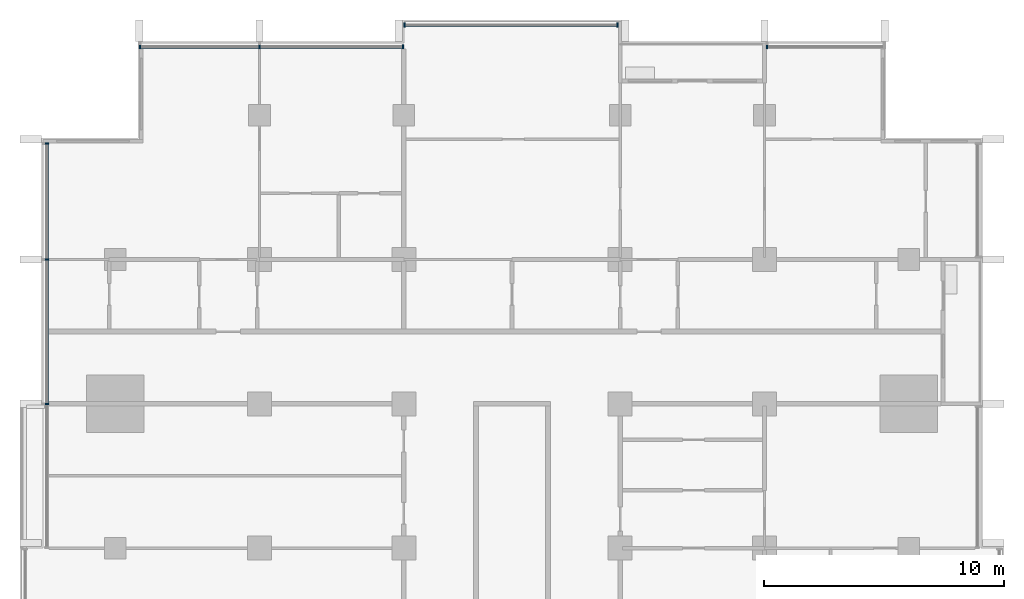
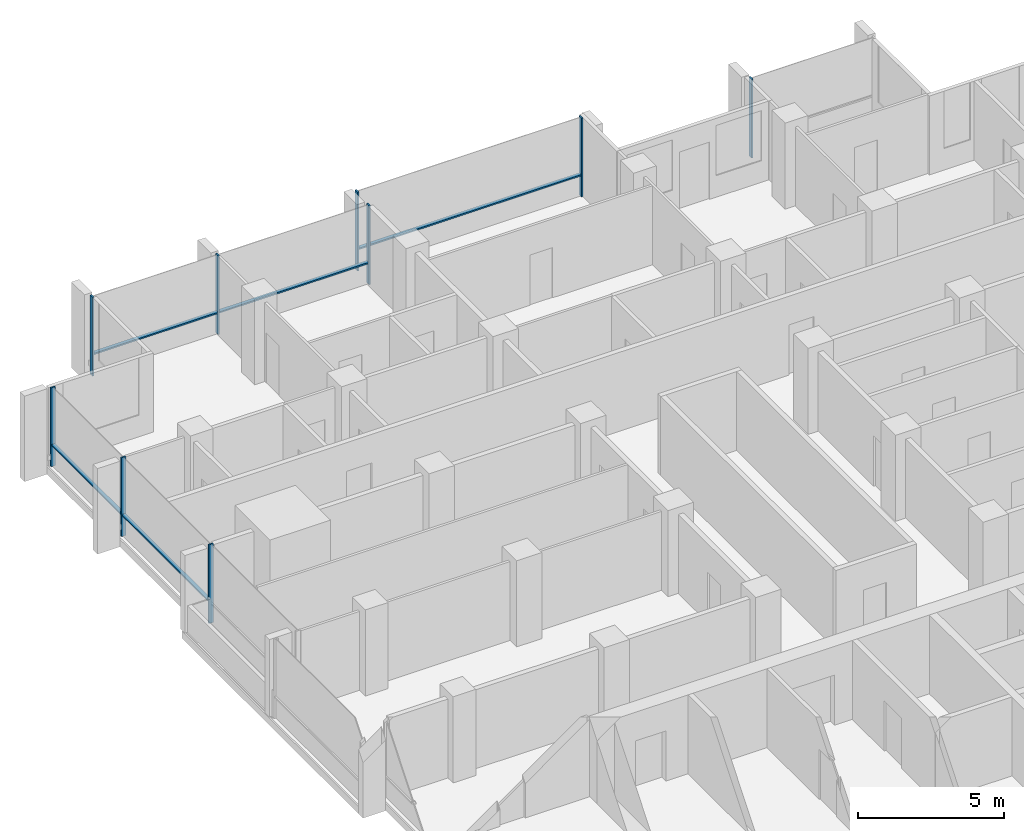
# One storey, part 4 of 16: 14 members, 4 elements without a shape of their own.
"""IFC4 building model written with IfcOpenShell, lengths in metres."""

from ifc_helpers import new_model, si_unit, direction, frame, origin, origin_2d, place, context, subcontext, project, spatial, rectangle, extrude, material, material_profile, profile_set, type_object, element, aggregate, save


model = new_model("IFC4")

# Units and contexts
model_context = context("Model", 3, precision=1e-05, world=origin(), true_north=direction((0.0, 1.0)))
body_context = subcontext(model_context, "Body", "Model", "MODEL_VIEW")
ifc_project = project(units=[si_unit("LENGTHUNIT", "METRE"), si_unit("AREAUNIT", "SQUARE_METRE"), si_unit("VOLUMEUNIT", "CUBIC_METRE"), si_unit("PLANEANGLEUNIT", "RADIAN"), si_unit("MASSUNIT", "GRAM", prefix="KILO")], contexts=[model_context])

# Site, building, storey
site_placement = place(None, origin())
site = spatial("IfcSite", under=ifc_project, at=site_placement, CompositionType="ELEMENT")
building_placement = place(site_placement, origin())
building = spatial("IfcBuilding", under=site, at=building_placement, Name="Finial Court Residences", CompositionType="ELEMENT")
storey_placement = place(building_placement, frame((0.0, 0.0, 156.5)))
storey = spatial("IfcBuildingStorey", under=building, at=storey_placement, Name="L38", CompositionType="ELEMENT", Elevation=156.5)

# Curtain wall, members
ifc_material = material(Name="Bronze anodised aluminium", Category="aluminium")
curtain_wall_type = type_object("IfcCurtainWallType", Name="Unitised curtain wall, upper zones", PredefinedType="NOTDEFINED", material=ifc_material)
curtain_wall_1_placement = place(storey_placement, origin())
curtain_wall_1 = element("IfcCurtainWall", 1, at=curtain_wall_1_placement, inside=storey, type_object=curtain_wall_type, Name="E-L38-CW-N1", PredefinedType="NOTDEFINED")
ifc_material_profile_1 = material_profile(ifc_material, rectangle(XDim=0.175048828125, YDim=0.06005859375, at=origin_2d()), Name="CW2 mullion 60 x 175")
ifc_profile_set_1 = profile_set([ifc_material_profile_1], Name="Bronze anodised aluminium")
member_type_1 = type_object("IfcMemberType", Name="CW2 mullion 60 x 175", PredefinedType="MULLION", material=ifc_profile_set_1)
member_1_placement = place(storey_placement, frame((-15.469970703125, 22.35009765625, 0.0), z_axis=(0.0, 0.0, 1.0), x_axis=(0.0, 1.0, 0.0)))
member_1 = element("IfcMember", 2, at=member_1_placement, type_object=member_type_1, Name="CW2 mullion 1", PredefinedType="MULLION", context=body_context, shape_type="SweptSolid", body=[
    extrude(rectangle(XDim=0.175048828125, YDim=0.06005859375, at=origin_2d()), origin(), (0.0, 0.0, 1.0), 3.300048828125),
])
member_2_placement = place(storey_placement, frame((-10.5, 22.35009765625, 0.0), z_axis=(0.0, 0.0, 1.0), x_axis=(0.0, 1.0, 0.0)))
member_2 = element("IfcMember", 3, at=member_2_placement, type_object=member_type_1, Name="CW2 mullion 2", PredefinedType="MULLION", context=body_context, shape_type="SweptSolid", body=[
    extrude(rectangle(XDim=0.175048828125, YDim=0.06005859375, at=origin_2d()), origin(), (0.0, 0.0, 1.0), 3.300048828125),
])
member_3_placement = place(storey_placement, frame((-4.530029296875, 22.35009765625, 0.0), z_axis=(0.0, 0.0, 1.0), x_axis=(0.0, 1.0, 0.0)))
member_3 = element("IfcMember", 4, at=member_3_placement, type_object=member_type_1, Name="CW2 mullion 3", PredefinedType="MULLION", context=body_context, shape_type="SweptSolid", body=[
    extrude(rectangle(XDim=0.175048828125, YDim=0.06005859375, at=origin_2d()), origin(), (0.0, 0.0, 1.0), 3.300048828125),
])

curtain_wall_2_placement = place(storey_placement, origin())
curtain_wall_2 = element("IfcCurtainWall", 5, at=curtain_wall_2_placement, inside=storey, type_object=curtain_wall_type, Name="E-L38-CW-N2", PredefinedType="NOTDEFINED")
member_4_placement = place(storey_placement, frame((-4.469970703125, 23.25, 0.0), z_axis=(0.0, 0.0, 1.0), x_axis=(0.0, 1.0, 0.0)))
member_4 = element("IfcMember", 6, at=member_4_placement, type_object=member_type_1, Name="CW2 mullion 1", PredefinedType="MULLION", context=body_context, shape_type="SweptSolid", body=[
    extrude(rectangle(XDim=0.175048828125, YDim=0.06005859375, at=origin_2d()), origin(), (0.0, 0.0, 1.0), 3.300048828125),
])
member_5_placement = place(storey_placement, frame((4.39501953125, 23.25, 0.0), z_axis=(0.0, 0.0, 1.0), x_axis=(0.0, 1.0, 0.0)))
member_5 = element("IfcMember", 7, at=member_5_placement, type_object=member_type_1, Name="CW2 mullion 2", PredefinedType="MULLION", context=body_context, shape_type="SweptSolid", body=[
    extrude(rectangle(XDim=0.175048828125, YDim=0.06005859375, at=origin_2d()), origin(), (0.0, 0.0, 1.0), 3.300048828125),
])

# Curtain wall, member
curtain_wall_3_placement = place(storey_placement, origin())
curtain_wall_3 = element("IfcCurtainWall", 8, at=curtain_wall_3_placement, inside=storey, type_object=curtain_wall_type, Name="E-L38-CW-N3", PredefinedType="NOTDEFINED")
member_6_placement = place(storey_placement, frame((10.60498046875, 22.35009765625, 0.0), z_axis=(0.0, 0.0, 1.0), x_axis=(0.0, 1.0, 0.0)))
member_6 = element("IfcMember", 9, at=member_6_placement, type_object=member_type_1, Name="CW2 mullion 1", PredefinedType="MULLION", context=body_context, shape_type="SweptSolid", body=[
    extrude(rectangle(XDim=0.175048828125, YDim=0.06005859375, at=origin_2d()), origin(), (0.0, 0.0, 1.0), 3.300048828125),
])
aggregate(curtain_wall_3, [member_6])

# Curtain wall, members
curtain_wall_4_placement = place(storey_placement, origin())
curtain_wall_4 = element("IfcCurtainWall", 10, at=curtain_wall_4_placement, inside=storey, type_object=curtain_wall_type, Name="E-L38-CW-W12", PredefinedType="NOTDEFINED")
member_7_placement = place(storey_placement, frame((-19.35009765625, 7.5, 0.0), z_axis=(0.0, 0.0, 1.0), x_axis=(-1.0, 0.0, 0.0)))
member_7 = element("IfcMember", 11, at=member_7_placement, type_object=member_type_1, Name="CW2 mullion 2", PredefinedType="MULLION", context=body_context, shape_type="SweptSolid", body=[
    extrude(rectangle(XDim=0.175048828125, YDim=0.06005859375, at=origin_2d()), origin(), (0.0, 0.0, 1.0), 3.300048828125),
])
member_8_placement = place(storey_placement, frame((-19.35009765625, 13.5, 0.0), z_axis=(0.0, 0.0, 1.0), x_axis=(-1.0, 0.0, 0.0)))
member_8 = element("IfcMember", 12, at=member_8_placement, type_object=member_type_1, Name="CW2 mullion 3", PredefinedType="MULLION", context=body_context, shape_type="SweptSolid", body=[
    extrude(rectangle(XDim=0.175048828125, YDim=0.06005859375, at=origin_2d()), origin(), (0.0, 0.0, 1.0), 3.300048828125),
])
member_9_placement = place(storey_placement, frame((-19.35009765625, 18.320068359375, 0.0), z_axis=(0.0, 0.0, 1.0), x_axis=(-1.0, 0.0, 0.0)))
member_9 = element("IfcMember", 13, at=member_9_placement, type_object=member_type_1, Name="CW2 mullion 4", PredefinedType="MULLION", context=body_context, shape_type="SweptSolid", body=[
    extrude(rectangle(XDim=0.175048828125, YDim=0.06005859375, at=origin_2d()), origin(), (0.0, 0.0, 1.0), 3.300048828125),
])

# Member
ifc_material_profile_2 = material_profile(ifc_material, rectangle(XDim=0.139892578125, YDim=0.06005859375, at=origin_2d()), Name="CW2 transom 60 x 140")
ifc_profile_set_2 = profile_set([ifc_material_profile_2], Name="Bronze anodised aluminium")
member_type_2 = type_object("IfcMemberType", Name="CW2 transom 60 x 140", PredefinedType="USERDEFINED", material=ifc_profile_set_2)
member_10_placement = place(storey_placement, frame((-15.43994140625, 22.35009765625, 0.89990234375), z_axis=(1.0, 0.0, 0.0), x_axis=(0.0, 1.0, 0.0)))
member_10 = element("IfcMember", 14, at=member_10_placement, type_object=member_type_2, Name="CW2 transom 1.1", ObjectType="TRANSOM", PredefinedType="USERDEFINED", context=body_context, shape_type="SweptSolid", body=[
    extrude(rectangle(XDim=0.139892578125, YDim=0.06005859375, at=origin_2d()), origin(), (0.0, 0.0, 1.0), 4.909912109375),
])

member_11_placement = place(storey_placement, frame((-10.469970703125, 22.35009765625, 0.89990234375), z_axis=(1.0, 0.0, 0.0), x_axis=(0.0, 1.0, 0.0)))
member_11 = element("IfcMember", 15, at=member_11_placement, type_object=member_type_2, Name="CW2 transom 2.1", ObjectType="TRANSOM", PredefinedType="USERDEFINED", context=body_context, shape_type="SweptSolid", body=[
    extrude(rectangle(XDim=0.139892578125, YDim=0.06005859375, at=origin_2d()), origin(), (0.0, 0.0, 1.0), 5.909912109375),
])

aggregate(curtain_wall_1, [member_1, member_2, member_3, member_10, member_11])

member_12_placement = place(storey_placement, frame((-4.43994140625, 23.25, 0.89990234375), z_axis=(1.0, 0.0, 0.0), x_axis=(0.0, 1.0, 0.0)))
member_12 = element("IfcMember", 16, at=member_12_placement, type_object=member_type_2, Name="CW2 transom 1.1", ObjectType="TRANSOM", PredefinedType="USERDEFINED", context=body_context, shape_type="SweptSolid", body=[
    extrude(rectangle(XDim=0.139892578125, YDim=0.06005859375, at=origin_2d()), origin(), (0.0, 0.0, 1.0), 8.804931640625),
])

aggregate(curtain_wall_2, [member_4, member_5, member_12])

member_13_placement = place(storey_placement, frame((-19.35009765625, 7.530029296875, 0.89990234375), z_axis=(0.0, 1.0, 0.0), x_axis=(-1.0, 0.0, 0.0)))
member_13 = element("IfcMember", 17, at=member_13_placement, type_object=member_type_2, Name="CW2 transom 2.1", ObjectType="TRANSOM", PredefinedType="USERDEFINED", context=body_context, shape_type="SweptSolid", body=[
    extrude(rectangle(XDim=0.139892578125, YDim=0.06005859375, at=origin_2d()), origin(), (0.0, 0.0, 1.0), 5.93994140625),
])

member_14_placement = place(storey_placement, frame((-19.35009765625, 13.530029296875, 0.89990234375), z_axis=(0.0, 1.0, 0.0), x_axis=(-1.0, 0.0, 0.0)))
member_14 = element("IfcMember", 18, at=member_14_placement, type_object=member_type_2, Name="CW2 transom 3.1", ObjectType="TRANSOM", PredefinedType="USERDEFINED", context=body_context, shape_type="SweptSolid", body=[
    extrude(rectangle(XDim=0.139892578125, YDim=0.06005859375, at=origin_2d()), origin(), (0.0, 0.0, 1.0), 4.760009765625),
])

aggregate(curtain_wall_4, [member_7, member_8, member_9, member_13, member_14])

save(model, "model.ifc")
